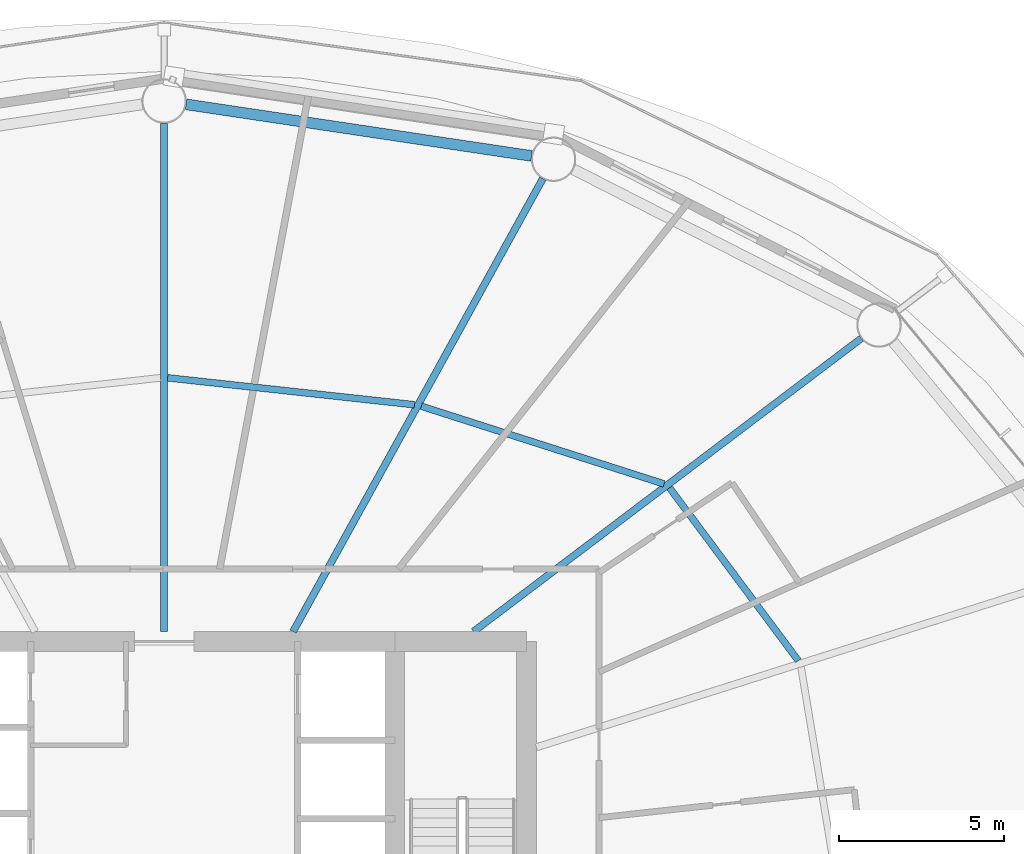
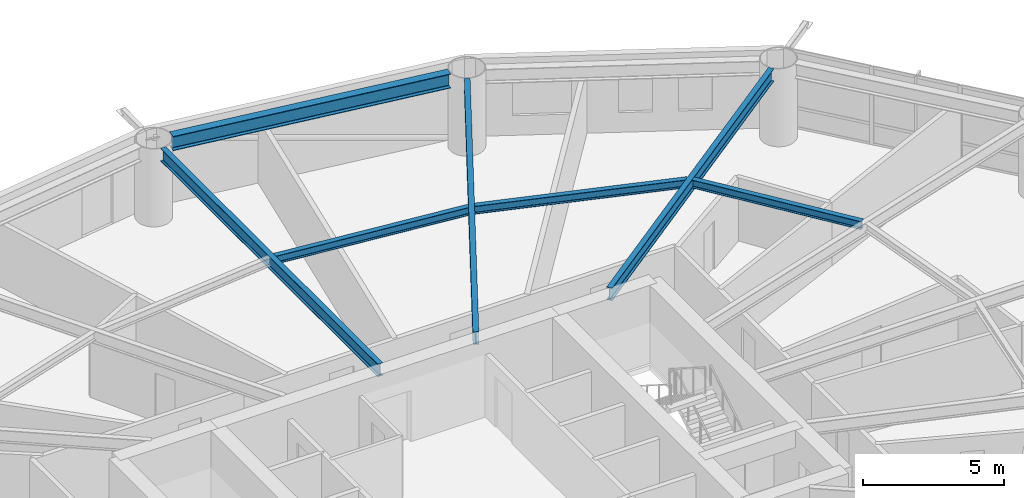
# One storey, part 13 of 26: 7 beams.
"""IFC4 building model written with IfcOpenShell, lengths in metres."""

from ifc_helpers import new_model, si_unit, direction, frame, origin, origin_2d, place, context, subcontext, project, spatial, i_section, extrude, material, material_profile, profile_set, type_object, element, save


model = new_model("IFC4")

# Units and contexts
model_context = context("Model", 3, precision=1e-05, world=origin(), true_north=direction((0.0, 1.0)))
body_context = subcontext(model_context, "Body", "Model", "MODEL_VIEW")
ifc_project = project(units=[si_unit("LENGTHUNIT", "METRE"), si_unit("AREAUNIT", "SQUARE_METRE"), si_unit("VOLUMEUNIT", "CUBIC_METRE"), si_unit("PLANEANGLEUNIT", "RADIAN"), si_unit("MASSUNIT", "GRAM", prefix="KILO")], contexts=[model_context])

# Site, building, storey
site_placement = place(None, origin())
site = spatial("IfcSite", under=ifc_project, at=site_placement, CompositionType="ELEMENT")
building_placement = place(site_placement, origin())
building = spatial("IfcBuilding", under=site, at=building_placement, Name="Sarneth Arch Tower", CompositionType="ELEMENT")
storey_placement = place(building_placement, frame((0.0, 0.0, 53.39990234375)))
storey = spatial("IfcBuildingStorey", under=building, at=storey_placement, Name="L12", CompositionType="ELEMENT", Elevation=53.39990234375)

# Beams
ifc_material_1 = material(Name="Steel S355", Category="steel")
ifc_material_profile_1 = material_profile(ifc_material_1, i_section(OverallWidth=0.2041015625, OverallDepth=0.35009765625, WebThickness=0.008544921875, FlangeThickness=0.01513671875, FilletRadius=0.014892578125, at=origin_2d()), Name="W360x72")
ifc_profile_set_1 = profile_set([ifc_material_profile_1], Name="Steel S355")
beam_type_1 = type_object("IfcBeamType", Name="BM-JOIST-360D", PredefinedType="JOIST", material=ifc_profile_set_1)
beam_1_placement = place(storey_placement, frame((67.2470703125, 48.216552734375, 3.205078125), z_axis=(-0.597453564101, 0.801903509621, 0.0), x_axis=(-0.801903509621, -0.597453564101, 0.0)))
element("IfcBeam", 1, at=beam_1_placement, inside=storey, type_object=beam_type_1, Name="L12 Secondary floor joist 02", PredefinedType="JOIST", context=body_context, shape_type="SweptSolid", body=[
    extrude(i_section(OverallWidth=0.2041015625, OverallDepth=0.35009765625, WebThickness=0.008544921875, FlangeThickness=0.01513671875, FilletRadius=0.014892578125, at=origin_2d()), origin(), (0.0, 0.0, 1.0), 6.542724609375),
])
beam_2_placement = place(storey_placement, frame((63.17236328125, 53.58154296875, 3.205078125), z_axis=(-0.952436240143, 0.304737934073, 0.0), x_axis=(-0.304737934073, -0.952436240143, 0.0)))
element("IfcBeam", 2, at=beam_2_placement, inside=storey, type_object=beam_type_1, Name="L12 Secondary floor joist 03", PredefinedType="JOIST", context=body_context, shape_type="SweptSolid", body=[
    extrude(i_section(OverallWidth=0.2041015625, OverallDepth=0.35009765625, WebThickness=0.008544921875, FlangeThickness=0.01513671875, FilletRadius=0.014892578125, at=origin_2d()), origin(), (0.0, 0.0, 1.0), 7.735107421875),
])
beam_3_placement = place(storey_placement, frame((55.596923828125, 55.983154296875, 3.205078125), z_axis=(-0.994095251924, 0.108510967657, 0.0), x_axis=(-0.108510967657, -0.994095251924, 0.0)))
element("IfcBeam", 3, at=beam_3_placement, inside=storey, type_object=beam_type_1, Name="L12 Secondary floor joist 04", PredefinedType="JOIST", context=body_context, shape_type="SweptSolid", body=[
    extrude(i_section(OverallWidth=0.2041015625, OverallDepth=0.35009765625, WebThickness=0.008544921875, FlangeThickness=0.01513671875, FilletRadius=0.014892578125, at=origin_2d()), origin(), (0.0, 0.0, 1.0), 7.534912109375),
])
ifc_material_2 = material(Name="Steel S355", Category="steel")
ifc_material_profile_2 = material_profile(ifc_material_2, i_section(OverallWidth=0.214111328125, OverallDepth=0.549072265625, WebThickness=0.0146484375, FlangeThickness=0.023681640625, FilletRadius=0.01806640625, at=origin_2d()), Name="W530x138")
ifc_profile_set_2 = profile_set([ifc_material_profile_2], Name="Steel S355")
beam_type_2 = type_object("IfcBeamType", Name="BM-RAD-530A", PredefinedType="BEAM", material=ifc_profile_set_2)
beam_4_placement = place(storey_placement, frame((57.390380859375, 49.10009765625, 3.105712890625), z_axis=(0.797656612852, 0.603111870198, 0.0), x_axis=(-0.603111870198, 0.797656612852, 0.0)))
element("IfcBeam", 4, at=beam_4_placement, inside=storey, type_object=beam_type_2, Name="L12 Radial floor girder 03", PredefinedType="BEAM", context=body_context, shape_type="SweptSolid", body=[
    extrude(i_section(OverallWidth=0.214111328125, OverallDepth=0.549072265625, WebThickness=0.0146484375, FlangeThickness=0.023681640625, FilletRadius=0.01806640625, at=origin_2d()), origin(), (0.0, 0.0, 1.0), 14.7529296875),
])
beam_5_placement = place(storey_placement, frame((51.91455078125, 49.10009765625, 3.105712890625), z_axis=(0.482837562311, 0.875709933952, 0.0), x_axis=(-0.875709933952, 0.482837562311, 0.0)))
element("IfcBeam", 5, at=beam_5_placement, inside=storey, type_object=beam_type_2, Name="L12 Radial floor girder 04", PredefinedType="BEAM", context=body_context, shape_type="SweptSolid", body=[
    extrude(i_section(OverallWidth=0.214111328125, OverallDepth=0.549072265625, WebThickness=0.0146484375, FlangeThickness=0.023681640625, FilletRadius=0.01806640625, at=origin_2d()), origin(), (0.0, 0.0, 1.0), 15.693359375),
])
beam_6_placement = place(storey_placement, frame((48.0, 49.10009765625, 3.105712890625), z_axis=(0.0, 1.0, 0.0), x_axis=(-1.0, 0.0, 0.0)))
element("IfcBeam", 6, at=beam_6_placement, inside=storey, type_object=beam_type_2, Name="L12 Radial floor girder 05", PredefinedType="BEAM", context=body_context, shape_type="SweptSolid", body=[
    extrude(i_section(OverallWidth=0.214111328125, OverallDepth=0.549072265625, WebThickness=0.0146484375, FlangeThickness=0.023681640625, FilletRadius=0.01806640625, at=origin_2d()), origin(), (0.0, 0.0, 1.0), 15.4248046875),
])
ifc_material_3 = material(Name="Steel S355", Category="steel")
ifc_material_profile_3 = material_profile(ifc_material_3, i_section(OverallWidth=0.326904296875, OverallDepth=0.6220703125, WebThickness=0.015380859375, FlangeThickness=0.0244140625, FilletRadius=0.01904296875, at=origin_2d()), Name="W610x195")
ifc_profile_set_3 = profile_set([ifc_material_profile_3], Name="Steel S355")
beam_type_3 = type_object("IfcBeamType", Name="BM-SPAN-610A", PredefinedType="SPANDREL", material=ifc_profile_set_3)
beam_7_placement = place(storey_placement, frame((59.150146484375, 63.53369140625, 3.069091796875), z_axis=(-0.989015788086, 0.147809914809, 0.0), x_axis=(-0.147809914809, -0.989015788086, 0.0)))
element("IfcBeam", 7, at=beam_7_placement, inside=storey, type_object=beam_type_3, Name="L12 Perimeter spandrel beam 04", PredefinedType="SPANDREL", context=body_context, shape_type="SweptSolid", body=[
    extrude(i_section(OverallWidth=0.326904296875, OverallDepth=0.6220703125, WebThickness=0.015380859375, FlangeThickness=0.0244140625, FilletRadius=0.01904296875, at=origin_2d()), origin(), (0.0, 0.0, 1.0), 10.59912109375),
])

save(model, "model.ifc")
